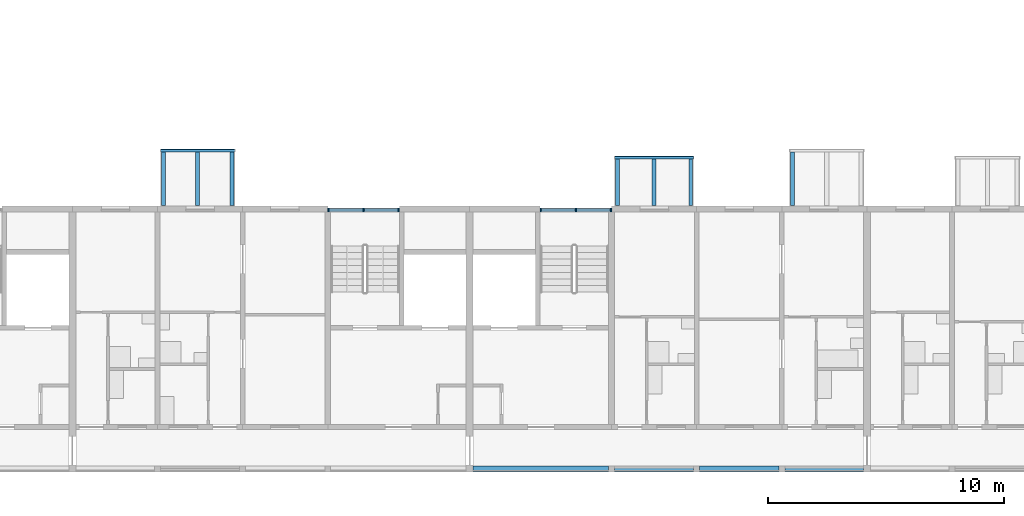
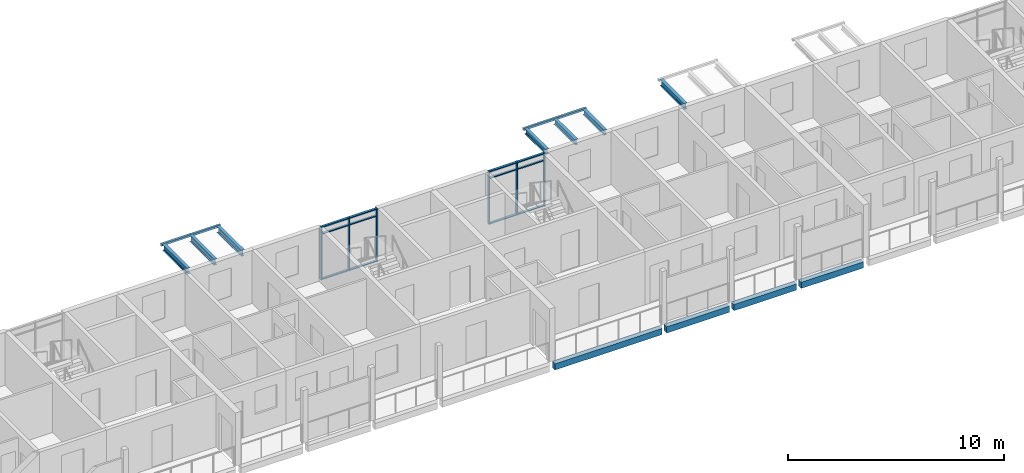
# One storey, part 6 of 94: 18 members, 13 beams, 2 elements without a shape of their own.
"""IFC4 building model written with IfcOpenShell, lengths in metres."""

from ifc_helpers import new_model, si_unit, direction, frame, origin, origin_2d, place, context, subcontext, project, spatial, rectangle, hollow_rectangle, i_section, extrude, material, material_profile, profile_set, type_object, element, aggregate, save


model = new_model("IFC4")

# Units and contexts
model_context = context("Model", 3, precision=1e-05, world=origin(), true_north=direction((0.0, 1.0)))
body_context = subcontext(model_context, "Body", "Model", "MODEL_VIEW")
ifc_project = project(units=[si_unit("LENGTHUNIT", "METRE"), si_unit("AREAUNIT", "SQUARE_METRE"), si_unit("VOLUMEUNIT", "CUBIC_METRE"), si_unit("PLANEANGLEUNIT", "RADIAN"), si_unit("MASSUNIT", "GRAM", prefix="KILO")], contexts=[model_context])

# Site, building, storey
site_placement = place(None, origin())
site = spatial("IfcSite", under=ifc_project, at=site_placement, CompositionType="ELEMENT")
building_placement = place(site_placement, origin())
building = spatial("IfcBuilding", under=site, at=building_placement, Name="Ridgestep Commons", CompositionType="ELEMENT")
storey_placement = place(building_placement, frame((0.0, 0.0, 24.0)))
storey = spatial("IfcBuildingStorey", under=building, at=storey_placement, Name="L08", CompositionType="ELEMENT", Elevation=24.0)

# Beams
ifc_material_1 = material(Name="Precast concrete C40/50", Category="concrete")
ifc_material_profile_1 = material_profile(ifc_material_1, rectangle(XDim=0.25, YDim=0.35009765625, at=origin_2d()), Name="PC 250x350")
ifc_profile_set_1 = profile_set([ifc_material_profile_1], Name="Precast concrete C40/50")
beam_type_1 = type_object("IfcBeamType", Name="Loggia edge beam 250 x 350", PredefinedType="SPANDREL", material=ifc_profile_set_1)
beam_1_placement = place(storey_placement, frame((45.75, 11.875, -0.375), z_axis=(1.0, 0.0, 0.0), x_axis=(0.0, 1.0, 0.0)))
element("IfcBeam", 1, at=beam_1_placement, inside=storey, type_object=beam_type_1, Name="Loggia edge beam A3C L08", PredefinedType="SPANDREL", context=body_context, shape_type="SweptSolid", body=[
    extrude(rectangle(XDim=0.25, YDim=0.35009765625, at=origin_2d()), origin(), (0.0, 0.0, 1.0), 5.72509765625),
])
beam_2_placement = place(storey_placement, frame((51.72509765625, 11.875, -0.375), z_axis=(1.0, 0.0, 0.0), x_axis=(0.0, 1.0, 0.0)))
element("IfcBeam", 2, at=beam_2_placement, inside=storey, type_object=beam_type_1, Name="Loggia edge beam A3T3 L08", PredefinedType="SPANDREL", context=body_context, shape_type="SweptSolid", body=[
    extrude(rectangle(XDim=0.25, YDim=0.35009765625, at=origin_2d()), origin(), (0.0, 0.0, 1.0), 3.349853515625),
])
beam_3_placement = place(storey_placement, frame((55.324951171875, 11.875, -0.375), z_axis=(1.0, 0.0, 0.0), x_axis=(0.0, 1.0, 0.0)))
element("IfcBeam", 3, at=beam_3_placement, inside=storey, type_object=beam_type_1, Name="Loggia edge beam A3T2 L08", PredefinedType="SPANDREL", context=body_context, shape_type="SweptSolid", body=[
    extrude(rectangle(XDim=0.25, YDim=0.35009765625, at=origin_2d()), origin(), (0.0, 0.0, 1.0), 3.35009765625),
])
beam_4_placement = place(storey_placement, frame((58.925048828125, 11.875, -0.375), z_axis=(1.0, 0.0, 0.0), x_axis=(0.0, 1.0, 0.0)))
element("IfcBeam", 4, at=beam_4_placement, inside=storey, type_object=beam_type_1, Name="Loggia edge beam A3T1 L08", PredefinedType="SPANDREL", context=body_context, shape_type="SweptSolid", body=[
    extrude(rectangle(XDim=0.25, YDim=0.35009765625, at=origin_2d()), origin(), (0.0, 0.0, 1.0), 3.324951171875),
])

# Curtain wall, members
ifc_material_2 = material(Name="Aluminium 6063-T6 and glass", Category="aluminium")
curtain_wall_type = type_object("IfcCurtainWallType", Name="Curtain wall stair strip", PredefinedType="NOTDEFINED", material=ifc_material_2)
curtain_wall_1_placement = place(storey_placement, origin())
curtain_wall_1 = element("IfcCurtainWall", 5, at=curtain_wall_1_placement, inside=storey, type_object=curtain_wall_type, Name="Curtain wall A2C level 08", PredefinedType="NOTDEFINED")
ifc_material_3 = material(Name="Aluminium 6063-T6", Category="aluminium")
ifc_material_profile_2 = material_profile(ifc_material_3, rectangle(XDim=0.159912109375, YDim=0.06005859375, at=origin_2d()), Name="Mullion 60 x 160")
ifc_profile_set_2 = profile_set([ifc_material_profile_2], Name="Aluminium 6063-T6")
member_type_1 = type_object("IfcMemberType", Name="Mullion 60 x 160", PredefinedType="MULLION", material=ifc_profile_set_2)
member_1_placement = place(storey_placement, frame((39.6298828125, 22.830078125, 0.0), z_axis=(0.0, 0.0, 1.0), x_axis=(0.0, 1.0, 0.0)))
member_1 = element("IfcMember", 6, at=member_1_placement, type_object=member_type_1, Name="CW1 mullion 1", PredefinedType="MULLION", context=body_context, shape_type="SweptSolid", body=[
    extrude(rectangle(XDim=0.159912109375, YDim=0.06005859375, at=origin_2d()), origin(), (0.0, 0.0, 1.0), 3.0),
])
member_2_placement = place(storey_placement, frame((41.112548828125, 22.830078125, 0.0), z_axis=(0.0, 0.0, 1.0), x_axis=(0.0, 1.0, 0.0)))
member_2 = element("IfcMember", 7, at=member_2_placement, type_object=member_type_1, Name="CW1 mullion 2", PredefinedType="MULLION", context=body_context, shape_type="SweptSolid", body=[
    extrude(rectangle(XDim=0.159912109375, YDim=0.06005859375, at=origin_2d()), origin(), (0.0, 0.0, 1.0), 3.0),
])
member_3_placement = place(storey_placement, frame((42.594970703125, 22.830078125, 0.0), z_axis=(0.0, 0.0, 1.0), x_axis=(0.0, 1.0, 0.0)))
member_3 = element("IfcMember", 8, at=member_3_placement, type_object=member_type_1, Name="CW1 mullion 3", PredefinedType="MULLION", context=body_context, shape_type="SweptSolid", body=[
    extrude(rectangle(XDim=0.159912109375, YDim=0.06005859375, at=origin_2d()), origin(), (0.0, 0.0, 1.0), 3.0),
])

curtain_wall_2_placement = place(storey_placement, origin())
curtain_wall_2 = element("IfcCurtainWall", 9, at=curtain_wall_2_placement, inside=storey, type_object=curtain_wall_type, Name="Curtain wall A3C level 08", PredefinedType="NOTDEFINED")
member_4_placement = place(storey_placement, frame((48.60498046875, 22.830078125, 0.0), z_axis=(0.0, 0.0, 1.0), x_axis=(0.0, 1.0, 0.0)))
member_4 = element("IfcMember", 10, at=member_4_placement, type_object=member_type_1, Name="CW1 mullion 1", PredefinedType="MULLION", context=body_context, shape_type="SweptSolid", body=[
    extrude(rectangle(XDim=0.159912109375, YDim=0.06005859375, at=origin_2d()), origin(), (0.0, 0.0, 1.0), 3.0),
])
member_5_placement = place(storey_placement, frame((50.08740234375, 22.830078125, 0.0), z_axis=(0.0, 0.0, 1.0), x_axis=(0.0, 1.0, 0.0)))
member_5 = element("IfcMember", 11, at=member_5_placement, type_object=member_type_1, Name="CW1 mullion 2", PredefinedType="MULLION", context=body_context, shape_type="SweptSolid", body=[
    extrude(rectangle(XDim=0.159912109375, YDim=0.06005859375, at=origin_2d()), origin(), (0.0, 0.0, 1.0), 3.0),
])
member_6_placement = place(storey_placement, frame((51.570068359375, 22.830078125, 0.0), z_axis=(0.0, 0.0, 1.0), x_axis=(0.0, 1.0, 0.0)))
member_6 = element("IfcMember", 12, at=member_6_placement, type_object=member_type_1, Name="CW1 mullion 3", PredefinedType="MULLION", context=body_context, shape_type="SweptSolid", body=[
    extrude(rectangle(XDim=0.159912109375, YDim=0.06005859375, at=origin_2d()), origin(), (0.0, 0.0, 1.0), 3.0),
])

# Member
ifc_material_4 = material(Name="Aluminium 6063-T6", Category="aluminium")
ifc_material_profile_3 = material_profile(ifc_material_4, rectangle(XDim=0.1201171875, YDim=0.06005859375, at=origin_2d()), Name="Transom 60 x 120")
ifc_profile_set_3 = profile_set([ifc_material_profile_3], Name="Aluminium 6063-T6")
member_type_2 = type_object("IfcMemberType", Name="Transom 60 x 120", PredefinedType="USERDEFINED", material=ifc_profile_set_3)
member_7_placement = place(storey_placement, frame((39.659912109375, 22.830078125, 0.030029296875), z_axis=(1.0, 0.0, 0.0), x_axis=(0.0, 1.0, 0.0)))
member_7 = element("IfcMember", 13, at=member_7_placement, type_object=member_type_2, Name="CW1 transom 1.1", ObjectType="TRANSOM", PredefinedType="USERDEFINED", context=body_context, shape_type="SweptSolid", body=[
    extrude(rectangle(XDim=0.1201171875, YDim=0.06005859375, at=origin_2d()), origin(), (0.0, 0.0, 1.0), 1.422607421875),
])

member_8_placement = place(storey_placement, frame((39.659912109375, 22.830078125, 2.590087890625), z_axis=(1.0, 0.0, 0.0), x_axis=(0.0, 1.0, 0.0)))
member_8 = element("IfcMember", 14, at=member_8_placement, type_object=member_type_2, Name="CW1 transom 1.2", ObjectType="TRANSOM", PredefinedType="USERDEFINED", context=body_context, shape_type="SweptSolid", body=[
    extrude(rectangle(XDim=0.1201171875, YDim=0.06005859375, at=origin_2d()), origin(), (0.0, 0.0, 1.0), 1.422607421875),
])

member_9_placement = place(storey_placement, frame((39.659912109375, 22.830078125, 2.969970703125), z_axis=(1.0, 0.0, 0.0), x_axis=(0.0, 1.0, 0.0)))
member_9 = element("IfcMember", 15, at=member_9_placement, type_object=member_type_2, Name="CW1 transom 1.3", ObjectType="TRANSOM", PredefinedType="USERDEFINED", context=body_context, shape_type="SweptSolid", body=[
    extrude(rectangle(XDim=0.1201171875, YDim=0.06005859375, at=origin_2d()), origin(), (0.0, 0.0, 1.0), 1.422607421875),
])

member_10_placement = place(storey_placement, frame((41.142578125, 22.830078125, 0.030029296875), z_axis=(1.0, 0.0, 0.0), x_axis=(0.0, 1.0, 0.0)))
member_10 = element("IfcMember", 16, at=member_10_placement, type_object=member_type_2, Name="CW1 transom 2.1", ObjectType="TRANSOM", PredefinedType="USERDEFINED", context=body_context, shape_type="SweptSolid", body=[
    extrude(rectangle(XDim=0.1201171875, YDim=0.06005859375, at=origin_2d()), origin(), (0.0, 0.0, 1.0), 1.42236328125),
])

member_11_placement = place(storey_placement, frame((41.142578125, 22.830078125, 2.590087890625), z_axis=(1.0, 0.0, 0.0), x_axis=(0.0, 1.0, 0.0)))
member_11 = element("IfcMember", 17, at=member_11_placement, type_object=member_type_2, Name="CW1 transom 2.2", ObjectType="TRANSOM", PredefinedType="USERDEFINED", context=body_context, shape_type="SweptSolid", body=[
    extrude(rectangle(XDim=0.1201171875, YDim=0.06005859375, at=origin_2d()), origin(), (0.0, 0.0, 1.0), 1.42236328125),
])

member_12_placement = place(storey_placement, frame((41.142578125, 22.830078125, 2.969970703125), z_axis=(1.0, 0.0, 0.0), x_axis=(0.0, 1.0, 0.0)))
member_12 = element("IfcMember", 18, at=member_12_placement, type_object=member_type_2, Name="CW1 transom 2.3", ObjectType="TRANSOM", PredefinedType="USERDEFINED", context=body_context, shape_type="SweptSolid", body=[
    extrude(rectangle(XDim=0.1201171875, YDim=0.06005859375, at=origin_2d()), origin(), (0.0, 0.0, 1.0), 1.42236328125),
])

aggregate(curtain_wall_1, [member_1, member_2, member_3, member_7, member_8, member_9, member_10, member_11, member_12])

member_13_placement = place(storey_placement, frame((48.635009765625, 22.830078125, 0.030029296875), z_axis=(1.0, 0.0, 0.0), x_axis=(0.0, 1.0, 0.0)))
member_13 = element("IfcMember", 19, at=member_13_placement, type_object=member_type_2, Name="CW1 transom 1.1", ObjectType="TRANSOM", PredefinedType="USERDEFINED", context=body_context, shape_type="SweptSolid", body=[
    extrude(rectangle(XDim=0.1201171875, YDim=0.06005859375, at=origin_2d()), origin(), (0.0, 0.0, 1.0), 1.422607421875),
])

member_14_placement = place(storey_placement, frame((48.635009765625, 22.830078125, 2.590087890625), z_axis=(1.0, 0.0, 0.0), x_axis=(0.0, 1.0, 0.0)))
member_14 = element("IfcMember", 20, at=member_14_placement, type_object=member_type_2, Name="CW1 transom 1.2", ObjectType="TRANSOM", PredefinedType="USERDEFINED", context=body_context, shape_type="SweptSolid", body=[
    extrude(rectangle(XDim=0.1201171875, YDim=0.06005859375, at=origin_2d()), origin(), (0.0, 0.0, 1.0), 1.422607421875),
])

member_15_placement = place(storey_placement, frame((48.635009765625, 22.830078125, 2.969970703125), z_axis=(1.0, 0.0, 0.0), x_axis=(0.0, 1.0, 0.0)))
member_15 = element("IfcMember", 21, at=member_15_placement, type_object=member_type_2, Name="CW1 transom 1.3", ObjectType="TRANSOM", PredefinedType="USERDEFINED", context=body_context, shape_type="SweptSolid", body=[
    extrude(rectangle(XDim=0.1201171875, YDim=0.06005859375, at=origin_2d()), origin(), (0.0, 0.0, 1.0), 1.422607421875),
])

member_16_placement = place(storey_placement, frame((50.117431640625, 22.830078125, 0.030029296875), z_axis=(1.0, 0.0, 0.0), x_axis=(0.0, 1.0, 0.0)))
member_16 = element("IfcMember", 22, at=member_16_placement, type_object=member_type_2, Name="CW1 transom 2.1", ObjectType="TRANSOM", PredefinedType="USERDEFINED", context=body_context, shape_type="SweptSolid", body=[
    extrude(rectangle(XDim=0.1201171875, YDim=0.06005859375, at=origin_2d()), origin(), (0.0, 0.0, 1.0), 1.422607421875),
])

member_17_placement = place(storey_placement, frame((50.117431640625, 22.830078125, 2.590087890625), z_axis=(1.0, 0.0, 0.0), x_axis=(0.0, 1.0, 0.0)))
member_17 = element("IfcMember", 23, at=member_17_placement, type_object=member_type_2, Name="CW1 transom 2.2", ObjectType="TRANSOM", PredefinedType="USERDEFINED", context=body_context, shape_type="SweptSolid", body=[
    extrude(rectangle(XDim=0.1201171875, YDim=0.06005859375, at=origin_2d()), origin(), (0.0, 0.0, 1.0), 1.422607421875),
])

member_18_placement = place(storey_placement, frame((50.117431640625, 22.830078125, 2.969970703125), z_axis=(1.0, 0.0, 0.0), x_axis=(0.0, 1.0, 0.0)))
member_18 = element("IfcMember", 24, at=member_18_placement, type_object=member_type_2, Name="CW1 transom 2.3", ObjectType="TRANSOM", PredefinedType="USERDEFINED", context=body_context, shape_type="SweptSolid", body=[
    extrude(rectangle(XDim=0.1201171875, YDim=0.06005859375, at=origin_2d()), origin(), (0.0, 0.0, 1.0), 1.422607421875),
])

aggregate(curtain_wall_2, [member_4, member_5, member_6, member_13, member_14, member_15, member_16, member_17, member_18])

# Beams
ifc_material_5 = material(Name="Weathering steel S355J2W", Category="steel")
ifc_material_profile_4 = material_profile(ifc_material_5, i_section(OverallWidth=0.1650390625, OverallDepth=0.303466796875, WebThickness=0.006103515625, FlangeThickness=0.01025390625, FilletRadius=0.0087890625, at=origin_2d()), Name="UB 305x165x40")
ifc_profile_set_4 = profile_set([ifc_material_profile_4], Name="Weathering steel S355J2W")
beam_type_2 = type_object("IfcBeamType", Name="Tray arm UB 305x165x40", PredefinedType="BEAM", material=ifc_profile_set_4)
for number, where, z_axis, x_axis, name in (
    (25, (51.85009765625, 23.014892578125, 2.83837890625), (0.0, 1.0, 0.0), (-1.0, 0.0, 0.0), "Tray arm A3T3-09.1"),
    (26, (53.39990234375, 23.014892578125, 2.83837890625), (0.0, 1.0, 0.0), (-1.0, 0.0, 0.0), "Tray arm A3T3-09.2"),
    (27, (54.949951171875, 23.014892578125, 2.83837890625), (0.0, 1.0, 0.0), (-1.0, 0.0, 0.0), "Tray arm A3T3-09.3"),
):
    element("IfcBeam", number, at=place(storey_placement, frame(where, z_axis=z_axis, x_axis=x_axis)), inside=storey, type_object=beam_type_2, Name=name, PredefinedType="BEAM", context=body_context, shape_type="SweptSolid", body=[
        extrude(i_section(OverallWidth=0.1650390625, OverallDepth=0.303466796875, WebThickness=0.006103515625, FlangeThickness=0.01025390625, FilletRadius=0.0087890625, at=origin_2d()), origin(), (0.0, 0.0, 1.0), 1.965087890625),
    ])
ifc_material_6 = material(Name="Weathering steel S355J2W", Category="steel")
ifc_material_profile_5 = material_profile(ifc_material_6, i_section(OverallWidth=0.171142578125, OverallDepth=0.351318359375, WebThickness=0.007080078125, FlangeThickness=0.009765625, FilletRadius=0.01025390625, at=origin_2d()), Name="UB 356x171x45")
ifc_profile_set_5 = profile_set([ifc_material_profile_5], Name="Weathering steel S355J2W")
beam_type_3 = type_object("IfcBeamType", Name="Tray arm UB 356x171x45", PredefinedType="BEAM", material=ifc_profile_set_5)
for number, where, z_axis, x_axis, name in (
    (28, (59.25, 23.014892578125, 2.814208984375), (0.0, 1.0, 0.0), (-1.0, 0.0, 0.0), "Tray arm A3T1-09.1"),
    (29, (32.64990234375, 23.014892578125, 2.814208984375), (0.0, 1.0, 0.0), (-1.0, 0.0, 0.0), "Tray arm A2T2-09.1"),
    (30, (34.10009765625, 23.014892578125, 2.814208984375), (0.0, 1.0, 0.0), (-1.0, 0.0, 0.0), "Tray arm A2T2-09.2"),
    (31, (35.550048828125, 23.014892578125, 2.814208984375), (0.0, 1.0, 0.0), (-1.0, 0.0, 0.0), "Tray arm A2T2-09.3"),
):
    element("IfcBeam", number, at=place(storey_placement, frame(where, z_axis=z_axis, x_axis=x_axis)), inside=storey, type_object=beam_type_3, Name=name, PredefinedType="BEAM", context=body_context, shape_type="SweptSolid", body=[
        extrude(i_section(OverallWidth=0.171142578125, OverallDepth=0.351318359375, WebThickness=0.007080078125, FlangeThickness=0.009765625, FilletRadius=0.01025390625, at=origin_2d()), origin(), (0.0, 0.0, 1.0), 2.26513671875),
    ])
ifc_material_7 = material(Name="Weathering steel S355J2W", Category="steel")
ifc_material_profile_6 = material_profile(ifc_material_7, hollow_rectangle(XDim=0.1201171875, YDim=0.1201171875, WallThickness=0.00634765625, InnerFilletRadius=0.00634765625, OuterFilletRadius=0.009521484375, at=origin_2d()), Name="SHS 120x120x6.3")
ifc_profile_set_6 = profile_set([ifc_material_profile_6], Name="Weathering steel S355J2W")
beam_type_4 = type_object("IfcBeamType", Name="Tray edge member SHS 120x120x6.3", PredefinedType="BEAM", material=ifc_profile_set_6)
beam_5_placement = place(storey_placement, frame((51.72998046875, 25.0400390625, 2.929931640625), z_axis=(1.0, 0.0, 0.0), x_axis=(0.0, 0.0, 1.0)))
element("IfcBeam", 32, at=beam_5_placement, inside=storey, type_object=beam_type_4, Name="Tray edge member A3T3-09", PredefinedType="BEAM", context=body_context, shape_type="SweptSolid", body=[
    extrude(hollow_rectangle(XDim=0.1201171875, YDim=0.1201171875, WallThickness=0.00634765625, InnerFilletRadius=0.00634765625, OuterFilletRadius=0.009521484375, at=origin_2d()), origin(), (0.0, 0.0, 1.0), 3.340087890625),
])
beam_6_placement = place(storey_placement, frame((32.530029296875, 25.340087890625, 2.929931640625), z_axis=(1.0, 0.0, 0.0), x_axis=(0.0, 0.0, 1.0)))
element("IfcBeam", 33, at=beam_6_placement, inside=storey, type_object=beam_type_4, Name="Tray edge member A2T2-09", PredefinedType="BEAM", context=body_context, shape_type="SweptSolid", body=[
    extrude(hollow_rectangle(XDim=0.1201171875, YDim=0.1201171875, WallThickness=0.00634765625, InnerFilletRadius=0.00634765625, OuterFilletRadius=0.009521484375, at=origin_2d()), origin(), (0.0, 0.0, 1.0), 3.139892578125),
])

save(model, "model.ifc")
